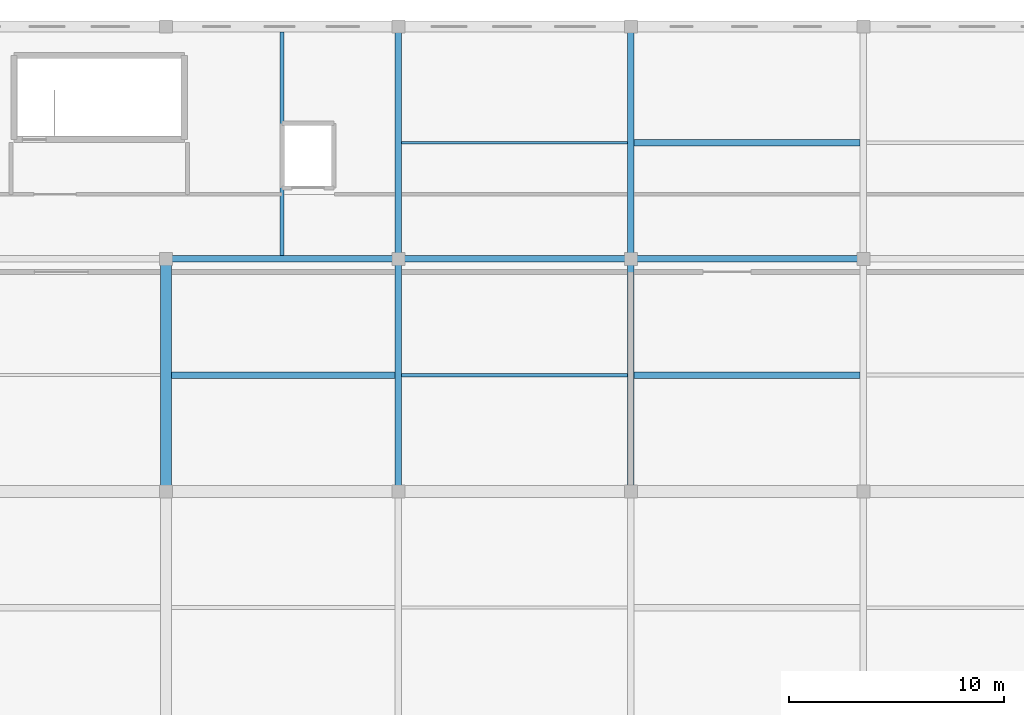
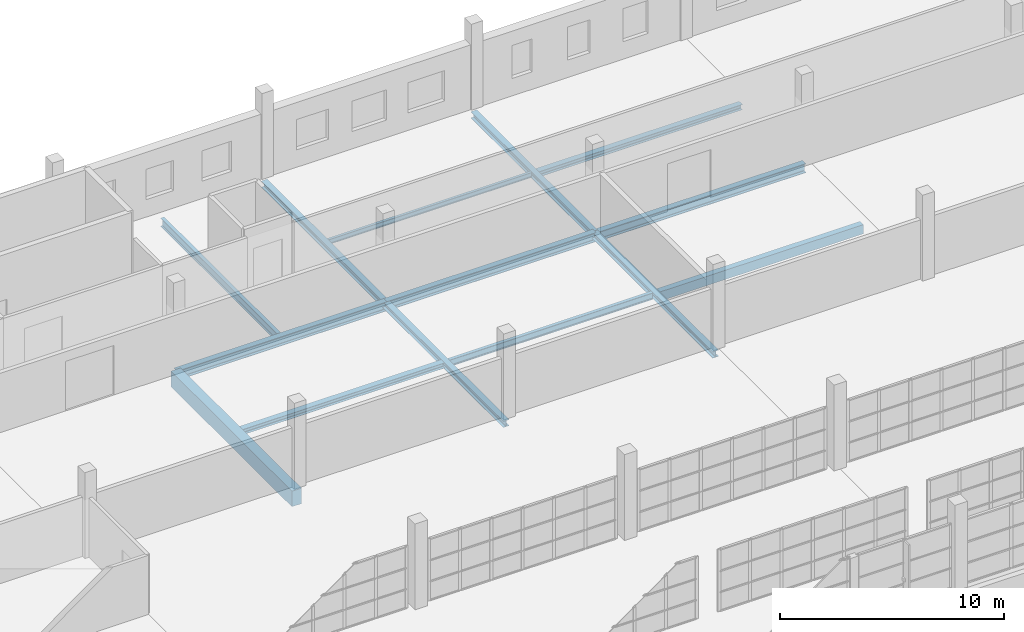
# One storey, part 51 of 142: 14 beams.
"""IFC4 building model written with IfcOpenShell, lengths in metres."""

from ifc_helpers import new_model, si_unit, direction, frame, origin, origin_2d, place, context, subcontext, project, spatial, rectangle, i_section, extrude, material, material_profile, profile_set, type_object, element, save


model = new_model("IFC4")

# Units and contexts
model_context = context("Model", 3, precision=1e-05, world=origin(), true_north=direction((0.0, 1.0)))
body_context = subcontext(model_context, "Body", "Model", "MODEL_VIEW")
ifc_project = project(units=[si_unit("LENGTHUNIT", "METRE"), si_unit("AREAUNIT", "SQUARE_METRE"), si_unit("VOLUMEUNIT", "CUBIC_METRE"), si_unit("PLANEANGLEUNIT", "RADIAN"), si_unit("MASSUNIT", "GRAM", prefix="KILO")], contexts=[model_context])

# Site, building, storey
site_placement = place(None, origin())
site = spatial("IfcSite", under=ifc_project, at=site_placement, CompositionType="ELEMENT")
building_placement = place(site_placement, origin())
building = spatial("IfcBuilding", under=site, at=building_placement, Name="Zwinboog Wholesale Market", CompositionType="ELEMENT")
storey_placement = place(building_placement, frame((0.0, 0.0, 5.39990234375)))
storey = spatial("IfcBuildingStorey", under=building, at=storey_placement, Name="L01", CompositionType="ELEMENT", Elevation=5.39990234375)

# Beams
ifc_material_1 = material(Name="Precast concrete C45/55", Category="concrete")
ifc_material_profile_1 = material_profile(ifc_material_1, rectangle(XDim=0.5, YDim=0.85009765625, at=origin_2d()), Name="PC 500x850")
ifc_profile_set_1 = profile_set([ifc_material_profile_1], Name="Precast concrete C45/55")
beam_type_1 = type_object("IfcBeamType", Name="BT-03", PredefinedType="BEAM", material=ifc_profile_set_1)
beam_1_placement = place(storey_placement, frame((97.199951171875, 108.0, -0.72998046875), z_axis=(0.0, 1.0, 0.0), x_axis=(-1.0, 0.0, 0.0)))
element("IfcBeam", 1, at=beam_1_placement, inside=storey, type_object=beam_type_1, Name="BG-03 (BMG-L01-0972-1080-0692)", PredefinedType="BEAM", context=body_context, shape_type="SweptSolid", body=[
    extrude(rectangle(XDim=0.5, YDim=0.85009765625, at=origin_2d()), origin(), (0.0, 0.0, 1.0), 10.800048828125),
])
ifc_material_profile_2 = material_profile(ifc_material_1, rectangle(XDim=0.300048828125, YDim=0.5, at=origin_2d()), Name="PC 300x500")
ifc_profile_set_2 = profile_set([ifc_material_profile_2], Name="Precast concrete C45/55")
beam_type_2 = type_object("IfcBeamType", Name="BT-10", PredefinedType="JOIST", material=ifc_profile_set_2)
beam_2_placement = place(storey_placement, frame((118.949951171875, 113.39990234375, -0.581787109375), z_axis=(1.0, 0.0, 0.0), x_axis=(0.0, 1.0, 0.0)))
element("IfcBeam", 2, at=beam_2_placement, inside=storey, type_object=beam_type_2, Name="BJ-01 (BMG-L01-1190-1134-0875)", PredefinedType="JOIST", context=body_context, shape_type="SweptSolid", body=[
    extrude(rectangle(XDim=0.300048828125, YDim=0.5, at=origin_2d()), origin(), (0.0, 0.0, 1.0), 10.5),
])
ifc_material_2 = material(Name="Steel S355", Category="steel")
ifc_material_profile_3 = material_profile(ifc_material_2, i_section(OverallWidth=0.300048828125, OverallDepth=0.5, WebThickness=0.014404296875, FlangeThickness=0.028076171875, FilletRadius=0.027099609375, at=origin_2d()), Name="HEB 500")
ifc_profile_set_3 = profile_set([ifc_material_profile_3], Name="Steel S355")
beam_type_3 = type_object("IfcBeamType", Name="BT-14", PredefinedType="BEAM", material=ifc_profile_set_3)
for number, where, z_axis, x_axis, name in (
    (3, (97.199951171875, 118.800048828125, -0.554931640625), (1.0, 0.0, 0.0), (0.0, 1.0, 0.0), "SB-01 (BMG-L01-0972-1188-0570)"),
    (4, (108.0, 118.800048828125, -0.554931640625), (1.0, 0.0, 0.0), (0.0, 1.0, 0.0), "SB-01 (BMG-L01-1080-1188-0571)"),
    (5, (118.800048828125, 118.800048828125, -0.581787109375), (1.0, 0.0, 0.0), (0.0, 1.0, 0.0), "SB-01 (BMG-L01-1188-1188-0572)"),
):
    element("IfcBeam", number, at=place(storey_placement, frame(where, z_axis=z_axis, x_axis=x_axis)), inside=storey, type_object=beam_type_3, Name=name, PredefinedType="BEAM", context=body_context, shape_type="SweptSolid", body=[
        extrude(i_section(OverallWidth=0.300048828125, OverallDepth=0.5, WebThickness=0.014404296875, FlangeThickness=0.028076171875, FilletRadius=0.027099609375, at=origin_2d()), origin(), (0.0, 0.0, 1.0), 10.800048828125),
    ])
ifc_material_profile_4 = material_profile(ifc_material_2, i_section(OverallWidth=0.300048828125, OverallDepth=0.35009765625, WebThickness=0.010009765625, FlangeThickness=0.017578125, FilletRadius=0.027099609375, at=origin_2d()), Name="HEA 360")
ifc_profile_set_4 = profile_set([ifc_material_profile_4], Name="Steel S355")
beam_type_4 = type_object("IfcBeamType", Name="BT-17", PredefinedType="BEAM", material=ifc_profile_set_4)
for number, where, z_axis, x_axis, name in (
    (6, (108.0, 108.0, -0.47998046875), (0.0, 1.0, 0.0), (-1.0, 0.0, 0.0), "SB-04 (BMG-L01-1080-1080-0696)"),
    (7, (108.0, 118.800048828125, -0.47998046875), (0.0, 1.0, 0.0), (-1.0, 0.0, 0.0), "SB-04 (BMG-L01-1080-1188-0697)"),
    (8, (118.800048828125, 108.0, -0.47998046875), (0.0, 1.0, 0.0), (-1.0, 0.0, 0.0), "SB-04 (BMG-L01-1188-1080-0701)"),
    (9, (118.800048828125, 118.800048828125, -0.47998046875), (0.0, 1.0, 0.0), (-1.0, 0.0, 0.0), "SB-04 (BMG-L01-1188-1188-0702)"),
):
    element("IfcBeam", number, at=place(storey_placement, frame(where, z_axis=z_axis, x_axis=x_axis)), inside=storey, type_object=beam_type_4, Name=name, PredefinedType="BEAM", context=body_context, shape_type="SweptSolid", body=[
        extrude(i_section(OverallWidth=0.300048828125, OverallDepth=0.35009765625, WebThickness=0.010009765625, FlangeThickness=0.017578125, FilletRadius=0.027099609375, at=origin_2d()), origin(), (0.0, 0.0, 1.0), 10.800048828125),
    ])
ifc_material_profile_5 = material_profile(ifc_material_2, i_section(OverallWidth=0.300048828125, OverallDepth=0.2900390625, WebThickness=0.008544921875, FlangeThickness=0.013916015625, FilletRadius=0.027099609375, at=origin_2d()), Name="HEA 300")
ifc_profile_set_5 = profile_set([ifc_material_profile_5], Name="Steel S355")
beam_type_5 = type_object("IfcBeamType", Name="BT-18", PredefinedType="JOIST", material=ifc_profile_set_5)
beam_3_placement = place(storey_placement, frame((97.449951171875, 113.39990234375, -0.449951171875), z_axis=(1.0, 0.0, 0.0), x_axis=(0.0, 1.0, 0.0)))
element("IfcBeam", 10, at=beam_3_placement, inside=storey, type_object=beam_type_5, Name="SJ-01 (BMG-L01-0974-1134-0872)", PredefinedType="JOIST", context=body_context, shape_type="SweptSolid", body=[
    extrude(i_section(OverallWidth=0.300048828125, OverallDepth=0.2900390625, WebThickness=0.008544921875, FlangeThickness=0.013916015625, FilletRadius=0.027099609375, at=origin_2d()), origin(), (0.0, 0.0, 1.0), 10.400146484375),
])
beam_4_placement = place(storey_placement, frame((118.949951171875, 124.199951171875, -0.476806640625), z_axis=(1.0, 0.0, 0.0), x_axis=(0.0, 1.0, 0.0)))
element("IfcBeam", 11, at=beam_4_placement, inside=storey, type_object=beam_type_5, Name="SJ-01 (BMG-L01-1190-1242-0876)", PredefinedType="JOIST", context=body_context, shape_type="SweptSolid", body=[
    extrude(i_section(OverallWidth=0.300048828125, OverallDepth=0.2900390625, WebThickness=0.008544921875, FlangeThickness=0.013916015625, FilletRadius=0.027099609375, at=origin_2d()), origin(), (0.0, 0.0, 1.0), 10.5),
])
ifc_material_profile_6 = material_profile(ifc_material_2, i_section(OverallWidth=0.18994140625, OverallDepth=0.449951171875, WebThickness=0.009521484375, FlangeThickness=0.0146484375, FilletRadius=0.02099609375, at=origin_2d()), Name="IPE 450")
ifc_profile_set_6 = profile_set([ifc_material_profile_6], Name="Steel S355")
beam_type_6 = type_object("IfcBeamType", Name="BT-19", PredefinedType="JOIST", material=ifc_profile_set_6)
beam_5_placement = place(storey_placement, frame((102.60009765625, 118.949951171875, -0.52978515625), z_axis=(0.0, 1.0, 0.0), x_axis=(-1.0, 0.0, 0.0)))
element("IfcBeam", 12, at=beam_5_placement, inside=storey, type_object=beam_type_6, Name="SJ-02 (BM-TER-L01-0046)", PredefinedType="JOIST", context=body_context, shape_type="SweptSolid", body=[
    extrude(i_section(OverallWidth=0.18994140625, OverallDepth=0.449951171875, WebThickness=0.009521484375, FlangeThickness=0.0146484375, FilletRadius=0.02099609375, at=origin_2d()), origin(), (0.0, 0.0, 1.0), 10.400146484375),
])
ifc_material_profile_7 = material_profile(ifc_material_2, i_section(OverallWidth=0.169921875, OverallDepth=0.360107421875, WebThickness=0.008056640625, FlangeThickness=0.0126953125, FilletRadius=0.01806640625, at=origin_2d()), Name="IPE 360")
ifc_profile_set_7 = profile_set([ifc_material_profile_7], Name="Steel S355")
beam_type_7 = type_object("IfcBeamType", Name="BT-20", PredefinedType="JOIST", material=ifc_profile_set_7)
beam_6_placement = place(storey_placement, frame((108.14990234375, 113.39990234375, -0.48486328125), z_axis=(1.0, 0.0, 0.0), x_axis=(0.0, 1.0, 0.0)))
element("IfcBeam", 13, at=beam_6_placement, inside=storey, type_object=beam_type_7, Name="SJ-03 (BMG-L01-1082-1134-0873)", PredefinedType="JOIST", context=body_context, shape_type="SweptSolid", body=[
    extrude(i_section(OverallWidth=0.169921875, OverallDepth=0.360107421875, WebThickness=0.008056640625, FlangeThickness=0.0126953125, FilletRadius=0.01806640625, at=origin_2d()), origin(), (0.0, 0.0, 1.0), 10.5),
])
ifc_material_profile_8 = material_profile(ifc_material_2, i_section(OverallWidth=0.135009765625, OverallDepth=0.27001953125, WebThickness=0.006591796875, FlangeThickness=0.01025390625, FilletRadius=0.014892578125, at=origin_2d()), Name="IPE 270")
ifc_profile_set_8 = profile_set([ifc_material_profile_8], Name="Steel S355")
beam_type_8 = type_object("IfcBeamType", Name="BT-21", PredefinedType="JOIST", material=ifc_profile_set_8)
beam_7_placement = place(storey_placement, frame((108.14990234375, 124.199951171875, -0.43994140625), z_axis=(1.0, 0.0, 0.0), x_axis=(0.0, 1.0, 0.0)))
element("IfcBeam", 14, at=beam_7_placement, inside=storey, type_object=beam_type_8, Name="SJ-04 (BMG-L01-1082-1242-0874)", PredefinedType="JOIST", context=body_context, shape_type="SweptSolid", body=[
    extrude(i_section(OverallWidth=0.135009765625, OverallDepth=0.27001953125, WebThickness=0.006591796875, FlangeThickness=0.01025390625, FilletRadius=0.014892578125, at=origin_2d()), origin(), (0.0, 0.0, 1.0), 10.5),
])

save(model, "model.ifc")
